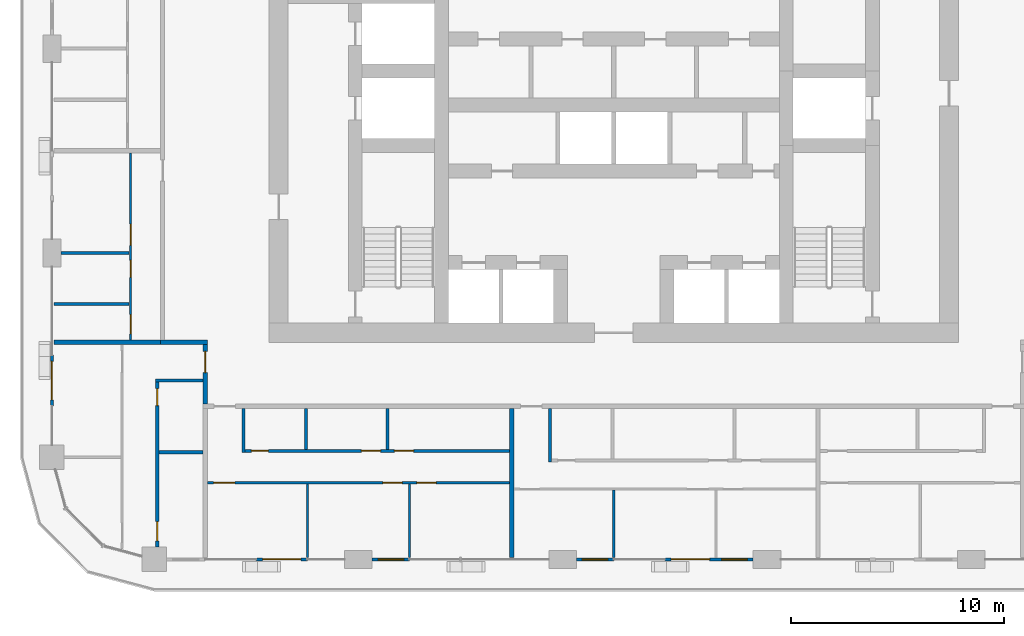
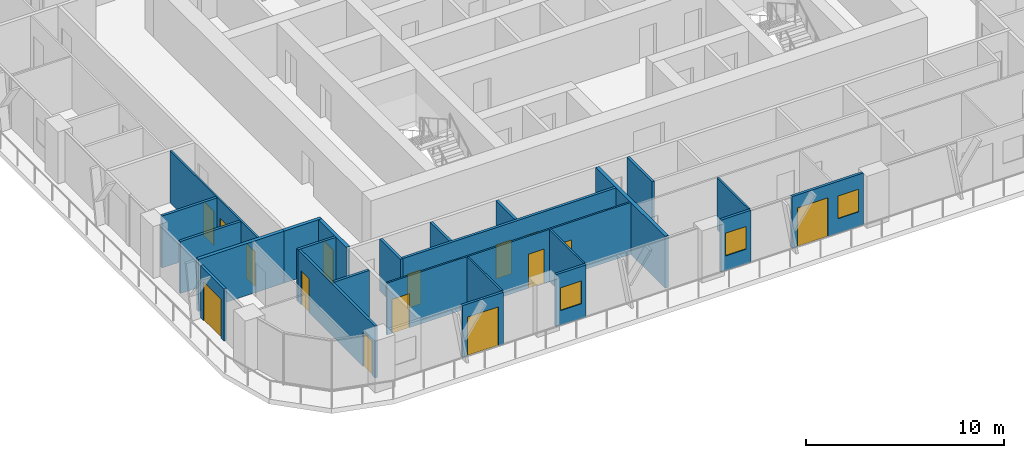
# One storey, part 9 of 22: 24 walls, 15 doors, 3 windows, 18 openings.
"""IFC4 building model written with IfcOpenShell, lengths in metres."""

from ifc_helpers import new_model, si_unit, direction, frame, frame_2d, origin, place, context, subcontext, project, spatial, rectangle, extrude, material, layer, layer_set, type_object, element, fill, save


model = new_model("IFC4")

# Units and contexts
model_context = context("Model", 3, precision=1e-05, world=origin(), true_north=direction((0.0, 1.0)))
body_context = subcontext(model_context, "Body", "Model", "MODEL_VIEW")
ifc_project = project(units=[si_unit("LENGTHUNIT", "METRE"), si_unit("AREAUNIT", "SQUARE_METRE"), si_unit("VOLUMEUNIT", "CUBIC_METRE"), si_unit("PLANEANGLEUNIT", "RADIAN"), si_unit("MASSUNIT", "GRAM", prefix="KILO")], contexts=[model_context])

# Site, building, storey
site_placement = place(None, origin())
site = spatial("IfcSite", under=ifc_project, at=site_placement, CompositionType="ELEMENT")
building_placement = place(site_placement, origin())
building = spatial("IfcBuilding", under=site, at=building_placement, Name="Madar Terraces", CompositionType="ELEMENT")
storey_placement = place(building_placement, frame((0.0, 0.0, 103.199951171875)))
storey = spatial("IfcBuildingStorey", under=building, at=storey_placement, Name="L26", CompositionType="ELEMENT", Elevation=103.199951171875)

# Wall, opening, door
ifc_material_1 = material(Name="Aluminium composite panel, black, over insulated backing", Category="aluminium")
ifc_layer_1 = layer(ifc_material_1, 0.14990234375)
ifc_layer_set_1 = layer_set([ifc_layer_1], Name="Facade bay panel 150")
wall_type_1 = type_object("IfcWallType", Name="Facade bay panel 150", PredefinedType="SOLIDWALL", material=ifc_layer_set_1)
wall_1_placement = place(storey_placement, frame((14.39990234375, 4.800048828125, 0.0), z_axis=(0.0, 0.0, 1.0), x_axis=(1.0, 0.0, 0.0)))
wall_1 = element("IfcWall", 1, at=wall_1_placement, inside=storey, type_object=wall_type_1, Name="Facade bay panel", PredefinedType="SOLIDWALL", context=body_context, shape_type="SweptSolid", body=[
    extrude(rectangle(XDim=2.400146484375, YDim=0.14990234375, at=frame_2d((1.2001953125, 0.0))), origin(), (0.0, 0.0, 1.0), 3.199951171875),
])
opening_1_placement = place(wall_1_placement, frame((0.300048828125, 0.0, 0.0)))
opening_1 = element("IfcOpeningElement", 2, at=opening_1_placement, cuts=wall_1, Name="Opening ED1", PredefinedType="OPENING", context=body_context, shape_type="SweptSolid", body=[
    extrude(rectangle(XDim=1.800048828125, YDim=2.39990234375, at=frame_2d((0.89990234375, 1.199951171875))), frame((0.0, 0.0849609375, 0.0), z_axis=(0.0, -1.0, 0.0), x_axis=(1.0, 0.0, 0.0)), (0.0, 0.0, 1.0), 0.169921875),
])
ifc_material_2 = material(Name="Glass, clear, with black aluminium frame", Category="aluminium")
door_type_1 = type_object("IfcDoorType", Name="Balcony and terrace sliding door 1800 x 2400", OperationType="SLIDING_TO_LEFT", PredefinedType="DOOR", material=ifc_material_2)
door_1_placement = place(opening_1_placement, origin())
door_1 = element("IfcDoor", 3, at=door_1_placement, inside=storey, type_object=door_type_1, Name="Balcony door", OperationType="SLIDING_TO_LEFT", OverallHeight=2.39990234375, OverallWidth=1.800048828125, PredefinedType="DOOR", context=body_context, shape_type="SweptSolid", body=[
    extrude(rectangle(XDim=1.800048828125, YDim=2.39990234375, at=frame_2d((0.89990234375, 1.199951171875))), frame((0.0, 0.02490234375, 0.0), z_axis=(0.0, -1.0, 0.0), x_axis=(1.0, 0.0, 0.0)), (0.0, 0.0, 1.0), 0.050048828125),
])
fill(opening_1, door_1)

# Wall, opening, window
wall_2_placement = place(storey_placement, frame((19.85009765625, 4.800048828125, 0.0), z_axis=(0.0, 0.0, 1.0), x_axis=(1.0, 0.0, 0.0)))
wall_2 = element("IfcWall", 4, at=wall_2_placement, inside=storey, type_object=wall_type_1, Name="Facade bay panel", PredefinedType="SOLIDWALL", context=body_context, shape_type="SweptSolid", body=[
    extrude(rectangle(XDim=1.75, YDim=0.14990234375, at=frame_2d((0.875, 0.0))), origin(), (0.0, 0.0, 1.0), 3.199951171875),
])
opening_2_placement = place(wall_2_placement, frame((0.27490234375, 0.0, 0.89990234375)))
opening_2 = element("IfcOpeningElement", 5, at=opening_2_placement, cuts=wall_2, Name="Opening W1", PredefinedType="OPENING", context=body_context, shape_type="SweptSolid", body=[
    extrude(rectangle(XDim=1.199951171875, YDim=1.39990234375, at=frame_2d((0.60009765625, 0.699951171875))), frame((0.0, 0.0849609375, 0.0), z_axis=(0.0, -1.0, 0.0), x_axis=(1.0, 0.0, 0.0)), (0.0, 0.0, 1.0), 0.169921875),
])
ifc_material_3 = material(Name="Glass, clear, with black aluminium frame", Category="aluminium")
window_type = type_object("IfcWindowType", Name="Vent window 1200 x 1400", PartitioningType="SINGLE_PANEL", PredefinedType="WINDOW", material=ifc_material_3)
window_1_placement = place(opening_2_placement, origin())
window_1 = element("IfcWindow", 6, at=window_1_placement, inside=storey, type_object=window_type, Name="Operable vent window", OverallHeight=1.39990234375, OverallWidth=1.199951171875, PartitioningType="SINGLE_PANEL", PredefinedType="WINDOW", context=body_context, shape_type="SweptSolid", body=[
    extrude(rectangle(XDim=1.199951171875, YDim=1.39990234375, at=frame_2d((0.60009765625, 0.699951171875))), frame((0.0, 0.030029296875, 0.0), z_axis=(0.0, -1.0, 0.0), x_axis=(1.0, 0.0, 0.0)), (0.0, 0.0, 1.0), 0.06005859375),
])
fill(opening_2, window_1)

wall_3_placement = place(storey_placement, frame((29.449951171875, 4.800048828125, 0.0), z_axis=(0.0, 0.0, 1.0), x_axis=(1.0, 0.0, 0.0)))
wall_3 = element("IfcWall", 7, at=wall_3_placement, inside=storey, type_object=wall_type_1, Name="Facade bay panel", PredefinedType="SOLIDWALL", context=body_context, shape_type="SweptSolid", body=[
    extrude(rectangle(XDim=1.75, YDim=0.14990234375, at=frame_2d((0.875, 0.0))), origin(), (0.0, 0.0, 1.0), 3.199951171875),
])
opening_3_placement = place(wall_3_placement, frame((0.27490234375, 0.0, 0.89990234375)))
opening_3 = element("IfcOpeningElement", 8, at=opening_3_placement, cuts=wall_3, Name="Opening W1", PredefinedType="OPENING", context=body_context, shape_type="SweptSolid", body=[
    extrude(rectangle(XDim=1.199951171875, YDim=1.39990234375, at=frame_2d((0.60009765625, 0.699951171875))), frame((0.0, 0.0849609375, 0.0), z_axis=(0.0, -1.0, 0.0), x_axis=(1.0, 0.0, 0.0)), (0.0, 0.0, 1.0), 0.169921875),
])
window_2_placement = place(opening_3_placement, origin())
window_2 = element("IfcWindow", 9, at=window_2_placement, inside=storey, type_object=window_type, Name="Operable vent window", OverallHeight=1.39990234375, OverallWidth=1.199951171875, PartitioningType="SINGLE_PANEL", PredefinedType="WINDOW", context=body_context, shape_type="SweptSolid", body=[
    extrude(rectangle(XDim=1.199951171875, YDim=1.39990234375, at=frame_2d((0.60009765625, 0.699951171875))), frame((0.0, 0.030029296875, 0.0), z_axis=(0.0, -1.0, 0.0), x_axis=(1.0, 0.0, 0.0)), (0.0, 0.0, 1.0), 0.06005859375),
])
fill(opening_3, window_2)

# Wall, openings, door, window
wall_4_placement = place(storey_placement, frame((33.60009765625, 4.800048828125, 0.0), z_axis=(0.0, 0.0, 1.0), x_axis=(1.0, 0.0, 0.0)))
wall_4 = element("IfcWall", 10, at=wall_4_placement, inside=storey, type_object=wall_type_1, Name="Facade bay panel", PredefinedType="SOLIDWALL", context=body_context, shape_type="SweptSolid", body=[
    extrude(rectangle(XDim=4.14990234375, YDim=0.14990234375, at=frame_2d((2.074951171875, 0.0))), origin(), (0.0, 0.0, 1.0), 3.199951171875),
])
opening_4_placement = place(wall_4_placement, frame((0.300048828125, 0.0, 0.0)))
opening_4 = element("IfcOpeningElement", 11, at=opening_4_placement, cuts=wall_4, Name="Opening ED1", PredefinedType="OPENING", context=body_context, shape_type="SweptSolid", body=[
    extrude(rectangle(XDim=1.800048828125, YDim=2.39990234375, at=frame_2d((0.89990234375, 1.199951171875))), frame((0.0, 0.0849609375, 0.0), z_axis=(0.0, -1.0, 0.0), x_axis=(1.0, 0.0, 0.0)), (0.0, 0.0, 1.0), 0.169921875),
])
opening_5_placement = place(wall_4_placement, frame((2.675048828125, 0.0, 0.89990234375)))
opening_5 = element("IfcOpeningElement", 12, at=opening_5_placement, cuts=wall_4, Name="Opening W1", PredefinedType="OPENING", context=body_context, shape_type="SweptSolid", body=[
    extrude(rectangle(XDim=1.199951171875, YDim=1.39990234375, at=frame_2d((0.60009765625, 0.699951171875))), frame((0.0, 0.0849609375, 0.0), z_axis=(0.0, -1.0, 0.0), x_axis=(1.0, 0.0, 0.0)), (0.0, 0.0, 1.0), 0.169921875),
])
door_2_placement = place(opening_4_placement, origin())
door_2 = element("IfcDoor", 13, at=door_2_placement, inside=storey, type_object=door_type_1, Name="Balcony door", OperationType="SLIDING_TO_RIGHT", OverallHeight=2.39990234375, OverallWidth=1.800048828125, PredefinedType="DOOR", context=body_context, shape_type="SweptSolid", body=[
    extrude(rectangle(XDim=1.800048828125, YDim=2.39990234375, at=frame_2d((0.89990234375, 1.199951171875))), frame((0.0, 0.02490234375, 0.0), z_axis=(0.0, -1.0, 0.0), x_axis=(1.0, 0.0, 0.0)), (0.0, 0.0, 1.0), 0.050048828125),
])
fill(opening_4, door_2)
window_3_placement = place(opening_5_placement, origin())
window_3 = element("IfcWindow", 14, at=window_3_placement, inside=storey, type_object=window_type, Name="Operable vent window", OverallHeight=1.39990234375, OverallWidth=1.199951171875, PartitioningType="SINGLE_PANEL", PredefinedType="WINDOW", context=body_context, shape_type="SweptSolid", body=[
    extrude(rectangle(XDim=1.199951171875, YDim=1.39990234375, at=frame_2d((0.60009765625, 0.699951171875))), frame((0.0, 0.030029296875, 0.0), z_axis=(0.0, -1.0, 0.0), x_axis=(1.0, 0.0, 0.0)), (0.0, 0.0, 1.0), 0.06005859375),
])
fill(opening_5, window_3)

# Wall, opening, door
wall_5_placement = place(storey_placement, frame((4.800048828125, 14.39990234375, 0.0), z_axis=(0.0, 0.0, 1.0), x_axis=(0.0, -1.0, 0.0)))
wall_5 = element("IfcWall", 15, at=wall_5_placement, inside=storey, type_object=wall_type_1, Name="Facade bay panel", PredefinedType="SOLIDWALL", context=body_context, shape_type="SweptSolid", body=[
    extrude(rectangle(XDim=2.39990234375, YDim=0.14990234375, at=frame_2d((1.199951171875, 0.0))), origin(), (0.0, 0.0, 1.0), 3.199951171875),
])
opening_6_placement = place(wall_5_placement, frame((0.300048828125, 0.0, 0.0)))
opening_6 = element("IfcOpeningElement", 16, at=opening_6_placement, cuts=wall_5, Name="Opening ED1", PredefinedType="OPENING", context=body_context, shape_type="SweptSolid", body=[
    extrude(rectangle(XDim=1.800048828125, YDim=2.39990234375, at=frame_2d((0.89990234375, 1.199951171875))), frame((0.0, 0.0849609375, 0.0), z_axis=(0.0, -1.0, 0.0), x_axis=(1.0, 0.0, 0.0)), (0.0, 0.0, 1.0), 0.169921875),
])
door_3_placement = place(opening_6_placement, origin())
door_3 = element("IfcDoor", 17, at=door_3_placement, inside=storey, type_object=door_type_1, Name="Balcony door", OperationType="SLIDING_TO_RIGHT", OverallHeight=2.39990234375, OverallWidth=1.800048828125, PredefinedType="DOOR", context=body_context, shape_type="SweptSolid", body=[
    extrude(rectangle(XDim=1.800048828125, YDim=2.39990234375, at=frame_2d((0.89990234375, 1.199951171875))), frame((0.0, 0.02490234375, 0.0), z_axis=(0.0, -1.0, 0.0), x_axis=(1.0, 0.0, 0.0)), (0.0, 0.0, 1.0), 0.050048828125),
])
fill(opening_6, door_3)

# Walls
ifc_material_4 = material(Name="Gypsum board on steel studs", Category="steel")
ifc_layer_2 = layer(ifc_material_4, 0.10009765625)
ifc_layer_set_2 = layer_set([ifc_layer_2], Name="Flat partition 100")
wall_type_2 = type_object("IfcWallType", Name="Flat partition 100", PredefinedType="PARTITIONING", material=ifc_layer_set_2)
for number, where, z_axis, x_axis, name in (
    (18, (16.800048828125, 8.35009765625, 0.0), (0.0, 0.0, 1.0), (0.0, -1.0, 0.0), "Flat partition 100"),
    (19, (21.60009765625, 8.35009765625, 0.0), (0.0, 0.0, 1.0), (0.0, -1.0, 0.0), "Flat partition 100"),
):
    element("IfcWall", number, at=place(storey_placement, frame(where, z_axis=z_axis, x_axis=x_axis)), inside=storey, type_object=wall_type_2, Name=name, PredefinedType="PARTITIONING", context=body_context, shape_type="SweptSolid", body=[
        extrude(rectangle(XDim=3.4501953125, YDim=0.10009765625, at=frame_2d((1.72509765625, 0.0))), origin(), (0.0, 0.0, 1.0), 3.199951171875),
    ])

# Wall, openings, doors
wall_6_placement = place(storey_placement, frame((26.300048828125, 8.39990234375, 0.0), z_axis=(0.0, 0.0, 1.0), x_axis=(-1.0, 0.0, 0.0)))
wall_6 = element("IfcWall", 20, at=wall_6_placement, inside=storey, type_object=wall_type_2, Name="Flat partition 100", PredefinedType="PARTITIONING", context=body_context, shape_type="SweptSolid", body=[
    extrude(rectangle(XDim=14.199951171875, YDim=0.10009765625, at=frame_2d((7.10009765625, 0.0))), origin(), (0.0, 0.0, 1.0), 3.199951171875),
])
opening_7_placement = place(wall_6_placement, frame((12.89990234375, 0.0, 0.0)))
opening_7 = element("IfcOpeningElement", 21, at=opening_7_placement, cuts=wall_6, Name="Opening D3", PredefinedType="OPENING", context=body_context, shape_type="SweptSolid", body=[
    extrude(rectangle(XDim=1.0, YDim=2.10009765625, at=frame_2d((0.5, 1.050048828125))), frame((0.0, 0.06005859375, 0.0), z_axis=(0.0, -1.0, 0.0), x_axis=(1.0, 0.0, 0.0)), (0.0, 0.0, 1.0), 0.1201171875),
])
opening_8_placement = place(wall_6_placement, frame((5.050048828125, 0.0, 0.0)))
opening_8 = element("IfcOpeningElement", 22, at=opening_8_placement, cuts=wall_6, Name="Opening D2", PredefinedType="OPENING", context=body_context, shape_type="SweptSolid", body=[
    extrude(rectangle(XDim=0.89990234375, YDim=2.10009765625, at=frame_2d((0.449951171875, 1.050048828125))), frame((0.0, 0.06005859375, 0.0), z_axis=(0.0, -1.0, 0.0), x_axis=(1.0, 0.0, 0.0)), (0.0, 0.0, 1.0), 0.1201171875),
])
opening_9_placement = place(wall_6_placement, frame((3.449951171875, 0.0, 0.0)))
opening_9 = element("IfcOpeningElement", 23, at=opening_9_placement, cuts=wall_6, Name="Opening D2", PredefinedType="OPENING", context=body_context, shape_type="SweptSolid", body=[
    extrude(rectangle(XDim=0.89990234375, YDim=2.10009765625, at=frame_2d((0.449951171875, 1.050048828125))), frame((0.0, 0.06005859375, 0.0), z_axis=(0.0, -1.0, 0.0), x_axis=(1.0, 0.0, 0.0)), (0.0, 0.0, 1.0), 0.1201171875),
])
ifc_material_5 = material(Name="Timber door leaf", Category="wood")
door_type_2 = type_object("IfcDoorType", Name="Flat living room door 1000", OperationType="NOTDEFINED", PredefinedType="DOOR", material=ifc_material_5)
door_4_placement = place(opening_7_placement, origin())
door_4 = element("IfcDoor", 24, at=door_4_placement, inside=storey, type_object=door_type_2, Name="Flat living room door 1000", OperationType="SINGLE_SWING_RIGHT", OverallHeight=2.10009765625, OverallWidth=1.0, PredefinedType="DOOR", context=body_context, shape_type="SweptSolid", body=[
    extrude(rectangle(XDim=1.0, YDim=2.10009765625, at=frame_2d((0.5, 1.050048828125))), frame((0.0, 0.02490234375, 0.0), z_axis=(0.0, -1.0, 0.0), x_axis=(1.0, 0.0, 0.0)), (0.0, 0.0, 1.0), 0.050048828125),
])
fill(opening_7, door_4)
ifc_material_6 = material(Name="Timber door leaf", Category="wood")
door_type_3 = type_object("IfcDoorType", Name="Flat room door 900", OperationType="NOTDEFINED", PredefinedType="DOOR", material=ifc_material_6)
door_5_placement = place(opening_8_placement, origin())
door_5 = element("IfcDoor", 25, at=door_5_placement, inside=storey, type_object=door_type_3, Name="Flat room door 900", OperationType="SINGLE_SWING_LEFT", OverallHeight=2.10009765625, OverallWidth=0.89990234375, PredefinedType="DOOR", context=body_context, shape_type="SweptSolid", body=[
    extrude(rectangle(XDim=0.89990234375, YDim=2.10009765625, at=frame_2d((0.449951171875, 1.050048828125))), frame((0.0, 0.02490234375, 0.0), z_axis=(0.0, -1.0, 0.0), x_axis=(1.0, 0.0, 0.0)), (0.0, 0.0, 1.0), 0.050048828125),
])
fill(opening_8, door_5)
door_6_placement = place(opening_9_placement, origin())
door_6 = element("IfcDoor", 26, at=door_6_placement, inside=storey, type_object=door_type_3, Name="Flat room door 900", OperationType="SINGLE_SWING_RIGHT", OverallHeight=2.10009765625, OverallWidth=0.89990234375, PredefinedType="DOOR", context=body_context, shape_type="SweptSolid", body=[
    extrude(rectangle(XDim=0.89990234375, YDim=2.10009765625, at=frame_2d((0.449951171875, 1.050048828125))), frame((0.0, 0.02490234375, 0.0), z_axis=(0.0, -1.0, 0.0), x_axis=(1.0, 0.0, 0.0)), (0.0, 0.0, 1.0), 0.050048828125),
])
fill(opening_9, door_6)

# Wall
wall_7_placement = place(storey_placement, frame((31.199951171875, 8.050048828125, 0.0), z_axis=(0.0, 0.0, 1.0), x_axis=(0.0, -1.0, 0.0)))
element("IfcWall", 27, at=wall_7_placement, inside=storey, type_object=wall_type_2, Name="Flat partition 100", PredefinedType="PARTITIONING", context=body_context, shape_type="SweptSolid", body=[
    extrude(rectangle(XDim=3.150146484375, YDim=0.10009765625, at=frame_2d((1.5751953125, 0.0))), origin(), (0.0, 0.0, 1.0), 3.199951171875),
])

# Wall, openings, doors
wall_8_placement = place(storey_placement, frame((8.5, 15.10009765625, 0.0), z_axis=(0.0, 0.0, 1.0), x_axis=(0.0, 1.0, 0.0)))
wall_8 = element("IfcWall", 28, at=wall_8_placement, inside=storey, type_object=wall_type_2, Name="Flat partition 100", PredefinedType="PARTITIONING", context=body_context, shape_type="SweptSolid", body=[
    extrude(rectangle(XDim=8.7998046875, YDim=0.10009765625, at=frame_2d((4.39990234375, 0.0))), origin(), (0.0, 0.0, 1.0), 3.199951171875),
])
opening_10_placement = place(wall_8_placement, frame((4.449951171875, 0.0, 0.0)))
opening_10 = element("IfcOpeningElement", 29, at=opening_10_placement, cuts=wall_8, Name="Opening D3", PredefinedType="OPENING", context=body_context, shape_type="SweptSolid", body=[
    extrude(rectangle(XDim=1.0, YDim=2.10009765625, at=frame_2d((0.5, 1.050048828125))), frame((0.0, 0.06005859375, 0.0), z_axis=(0.0, -1.0, 0.0), x_axis=(1.0, 0.0, 0.0)), (0.0, 0.0, 1.0), 0.1201171875),
])
opening_11_placement = place(wall_8_placement, frame((2.949951171875, 0.0, 0.0)))
opening_11 = element("IfcOpeningElement", 30, at=opening_11_placement, cuts=wall_8, Name="Opening D4", PredefinedType="OPENING", context=body_context, shape_type="SweptSolid", body=[
    extrude(rectangle(XDim=0.800048828125, YDim=2.10009765625, at=frame_2d((0.39990234375, 1.050048828125))), frame((0.0, 0.06005859375, 0.0), z_axis=(0.0, -1.0, 0.0), x_axis=(1.0, 0.0, 0.0)), (0.0, 0.0, 1.0), 0.1201171875),
])
opening_12_placement = place(wall_8_placement, frame((0.300048828125, 0.0, 0.0)))
opening_12 = element("IfcOpeningElement", 31, at=opening_12_placement, cuts=wall_8, Name="Opening D2", PredefinedType="OPENING", context=body_context, shape_type="SweptSolid", body=[
    extrude(rectangle(XDim=0.89990234375, YDim=2.10009765625, at=frame_2d((0.449951171875, 1.050048828125))), frame((0.0, 0.06005859375, 0.0), z_axis=(0.0, -1.0, 0.0), x_axis=(1.0, 0.0, 0.0)), (0.0, 0.0, 1.0), 0.1201171875),
])
ifc_material_7 = material(Name="Timber door leaf", Category="wood")
door_type_4 = type_object("IfcDoorType", Name="Flat bathroom door 800", OperationType="NOTDEFINED", PredefinedType="DOOR", material=ifc_material_7)
door_7_placement = place(opening_11_placement, origin())
door_7 = element("IfcDoor", 32, at=door_7_placement, inside=storey, type_object=door_type_4, Name="Flat bathroom door 800", OperationType="SINGLE_SWING_RIGHT", OverallHeight=2.10009765625, OverallWidth=0.800048828125, PredefinedType="DOOR", context=body_context, shape_type="SweptSolid", body=[
    extrude(rectangle(XDim=0.800048828125, YDim=2.10009765625, at=frame_2d((0.39990234375, 1.050048828125))), frame((0.0, 0.02490234375, 0.0), z_axis=(0.0, -1.0, 0.0), x_axis=(1.0, 0.0, 0.0)), (0.0, 0.0, 1.0), 0.050048828125),
])
fill(opening_11, door_7)
door_8_placement = place(opening_10_placement, origin())
door_8 = element("IfcDoor", 33, at=door_8_placement, inside=storey, type_object=door_type_2, Name="Flat living room door 1000", OperationType="SINGLE_SWING_LEFT", OverallHeight=2.10009765625, OverallWidth=1.0, PredefinedType="DOOR", context=body_context, shape_type="SweptSolid", body=[
    extrude(rectangle(XDim=1.0, YDim=2.10009765625, at=frame_2d((0.5, 1.050048828125))), frame((0.0, 0.02490234375, 0.0), z_axis=(0.0, -1.0, 0.0), x_axis=(1.0, 0.0, 0.0)), (0.0, 0.0, 1.0), 0.050048828125),
])
fill(opening_10, door_8)
door_9_placement = place(opening_12_placement, origin())
door_9 = element("IfcDoor", 34, at=door_9_placement, inside=storey, type_object=door_type_3, Name="Flat room door 900", OperationType="SINGLE_SWING_LEFT", OverallHeight=2.10009765625, OverallWidth=0.89990234375, PredefinedType="DOOR", context=body_context, shape_type="SweptSolid", body=[
    extrude(rectangle(XDim=0.89990234375, YDim=2.10009765625, at=frame_2d((0.449951171875, 1.050048828125))), frame((0.0, 0.02490234375, 0.0), z_axis=(0.0, -1.0, 0.0), x_axis=(1.0, 0.0, 0.0)), (0.0, 0.0, 1.0), 0.050048828125),
])
fill(opening_12, door_9)

# Wall
ifc_material_8 = material(Name="Lightweight blockwork", Category="masonry")
ifc_layer_3 = layer(ifc_material_8, 0.199951171875)
ifc_layer_set_3 = layer_set([ifc_layer_3], Name="Flat party and entrance wall 200")
wall_type_3 = type_object("IfcWallType", Name="Flat party and entrance wall 200", PredefinedType="PARTITIONING", material=ifc_layer_set_3)
wall_9_placement = place(storey_placement, frame((9.89990234375, 15.0, 0.0), z_axis=(0.0, 0.0, 1.0), x_axis=(1.0, 0.0, 0.0)))
element("IfcWall", 35, at=wall_9_placement, inside=storey, type_object=wall_type_3, Name="Flat party and entrance wall 200", PredefinedType="PARTITIONING", context=body_context, shape_type="SweptSolid", body=[
    extrude(rectangle(XDim=2.2001953125, YDim=0.199951171875, at=frame_2d((1.10009765625, 0.0))), origin(), (0.0, 0.0, 1.0), 3.199951171875),
])

# Wall, opening, door
wall_10_placement = place(storey_placement, frame((12.0, 12.10009765625, 0.0), z_axis=(0.0, 0.0, 1.0), x_axis=(0.0, 1.0, 0.0)))
wall_10 = element("IfcWall", 36, at=wall_10_placement, inside=storey, type_object=wall_type_3, Name="Flat party and entrance wall 200", PredefinedType="PARTITIONING", context=body_context, shape_type="SweptSolid", body=[
    extrude(rectangle(XDim=2.7998046875, YDim=0.199951171875, at=frame_2d((1.39990234375, 0.0))), origin(), (0.0, 0.0, 1.0), 3.199951171875),
])
opening_13_placement = place(wall_10_placement, frame((1.47509765625, 0.0, 0.0)))
opening_13 = element("IfcOpeningElement", 37, at=opening_13_placement, cuts=wall_10, Name="Opening D1", PredefinedType="OPENING", context=body_context, shape_type="SweptSolid", body=[
    extrude(rectangle(XDim=1.0, YDim=2.10009765625, at=frame_2d((0.5, 1.050048828125))), frame((0.0, 0.10986328125, 0.0), z_axis=(0.0, -1.0, 0.0), x_axis=(1.0, 0.0, 0.0)), (0.0, 0.0, 1.0), 0.219970703125),
])
ifc_material_9 = material(Name="Timber fire door leaf", Category="wood")
door_type_5 = type_object("IfcDoorType", Name="Flat entrance door 1000 FD30S", OperationType="NOTDEFINED", PredefinedType="DOOR", material=ifc_material_9)
door_10_placement = place(opening_13_placement, origin())
door_10 = element("IfcDoor", 38, at=door_10_placement, inside=storey, type_object=door_type_5, Name="Flat entrance door 1000 FD30S", OperationType="SINGLE_SWING_RIGHT", OverallHeight=2.10009765625, OverallWidth=1.0, PredefinedType="DOOR", context=body_context, shape_type="SweptSolid", body=[
    extrude(rectangle(XDim=1.0, YDim=2.10009765625, at=frame_2d((0.5, 1.050048828125))), frame((0.0, 0.02490234375, 0.0), z_axis=(0.0, -1.0, 0.0), x_axis=(1.0, 0.0, 0.0)), (0.0, 0.0, 1.0), 0.050048828125),
])
fill(opening_13, door_10)

# Walls
wall_11_placement = place(storey_placement, frame((26.39990234375, 11.89990234375, 0.0), z_axis=(0.0, 0.0, 1.0), x_axis=(0.0, -1.0, 0.0)))
element("IfcWall", 39, at=wall_11_placement, inside=storey, type_object=wall_type_3, Name="Flat party and entrance wall 200", PredefinedType="PARTITIONING", context=body_context, shape_type="SweptSolid", body=[
    extrude(rectangle(XDim=7.0, YDim=0.199951171875, at=frame_2d((3.5, 0.0))), origin(), (0.0, 0.0, 1.0), 3.199951171875),
])
wall_12_placement = place(storey_placement, frame((4.89990234375, 15.0, 0.0), z_axis=(0.0, 0.0, 1.0), x_axis=(1.0, 0.0, 0.0)))
element("IfcWall", 40, at=wall_12_placement, inside=storey, type_object=wall_type_3, Name="Flat party and entrance wall 200", PredefinedType="PARTITIONING", context=body_context, shape_type="SweptSolid", body=[
    extrude(rectangle(XDim=5.0, YDim=0.199951171875, at=frame_2d((2.5, 0.0))), origin(), (0.0, 0.0, 1.0), 3.199951171875),
])
ifc_material_10 = material(Name="Lightweight blockwork", Category="masonry")
ifc_layer_4 = layer(ifc_material_10, 0.14990234375)
ifc_layer_set_4 = layer_set([ifc_layer_4], Name="Flat wet-room partition 150")
wall_type_4 = type_object("IfcWallType", Name="Flat wet-room partition 150", PredefinedType="PARTITIONING", material=ifc_layer_set_4)
for number, where, z_axis, x_axis, name in (
    (41, (16.7421875, 11.89990234375, 0.0), (0.0, 0.0, 1.0), (0.0, -1.0, 0.0), "Flat wet-room partition 150"),
    (42, (20.5654296875, 11.89990234375, 0.0), (0.0, 0.0, 1.0), (0.0, -1.0, 0.0), "Flat wet-room partition 150"),
):
    element("IfcWall", number, at=place(storey_placement, frame(where, z_axis=z_axis, x_axis=x_axis)), inside=storey, type_object=wall_type_4, Name=name, PredefinedType="PARTITIONING", context=body_context, shape_type="SweptSolid", body=[
        extrude(rectangle(XDim=1.9248046875, YDim=0.14990234375, at=frame_2d((0.96240234375, 0.0))), origin(), (0.0, 0.0, 1.0), 3.199951171875),
    ])
wall_13_placement = place(storey_placement, frame((13.800048828125, 11.89990234375, 0.0), z_axis=(0.0, 0.0, 1.0), x_axis=(0.0, -1.0, 0.0)))
element("IfcWall", 43, at=wall_13_placement, inside=storey, type_object=wall_type_4, Name="Flat wet-room partition 150", PredefinedType="PARTITIONING", context=body_context, shape_type="SweptSolid", body=[
    extrude(rectangle(XDim=2.074951171875, YDim=0.14990234375, at=frame_2d((1.03759765625, 0.0))), origin(), (0.0, 0.0, 1.0), 3.199951171875),
])

# Wall, openings, doors
wall_14_placement = place(storey_placement, frame((13.875, 9.89990234375, 0.0), z_axis=(0.0, 0.0, 1.0), x_axis=(1.0, 0.0, 0.0)))
wall_14 = element("IfcWall", 44, at=wall_14_placement, inside=storey, type_object=wall_type_4, Name="Flat wet-room partition 150", PredefinedType="PARTITIONING", context=body_context, shape_type="SweptSolid", body=[
    extrude(rectangle(XDim=12.425048828125, YDim=0.14990234375, at=frame_2d((6.21240234375, 0.0))), origin(), (0.0, 0.0, 1.0), 3.199951171875),
])
opening_14_placement = place(wall_14_placement, frame((0.300048828125, 0.0, 0.0)))
opening_14 = element("IfcOpeningElement", 45, at=opening_14_placement, cuts=wall_14, Name="Opening D4", PredefinedType="OPENING", context=body_context, shape_type="SweptSolid", body=[
    extrude(rectangle(XDim=0.800048828125, YDim=2.10009765625, at=frame_2d((0.39990234375, 1.050048828125))), frame((0.0, 0.0849609375, 0.0), z_axis=(0.0, -1.0, 0.0), x_axis=(1.0, 0.0, 0.0)), (0.0, 0.0, 1.0), 0.169921875),
])
opening_15_placement = place(wall_14_placement, frame((5.46533203125, 0.0, 0.0)))
opening_15 = element("IfcOpeningElement", 46, at=opening_15_placement, cuts=wall_14, Name="Opening D5", PredefinedType="OPENING", context=body_context, shape_type="SweptSolid", body=[
    extrude(rectangle(XDim=0.89990234375, YDim=2.10009765625, at=frame_2d((0.449951171875, 1.050048828125))), frame((0.0, 0.0849609375, 0.0), z_axis=(0.0, -1.0, 0.0), x_axis=(1.0, 0.0, 0.0)), (0.0, 0.0, 1.0), 0.169921875),
])
opening_16_placement = place(wall_14_placement, frame((7.015380859375, 0.0, 0.0)))
opening_16 = element("IfcOpeningElement", 47, at=opening_16_placement, cuts=wall_14, Name="Opening D2", PredefinedType="OPENING", context=body_context, shape_type="SweptSolid", body=[
    extrude(rectangle(XDim=0.89990234375, YDim=2.10009765625, at=frame_2d((0.449951171875, 1.050048828125))), frame((0.0, 0.0849609375, 0.0), z_axis=(0.0, -1.0, 0.0), x_axis=(1.0, 0.0, 0.0)), (0.0, 0.0, 1.0), 0.169921875),
])
ifc_material_11 = material(Name="Timber door leaf", Category="wood")
door_type_6 = type_object("IfcDoorType", Name="Flat accessible bathroom door 900", OperationType="NOTDEFINED", PredefinedType="DOOR", material=ifc_material_11)
door_11_placement = place(opening_15_placement, origin())
door_11 = element("IfcDoor", 48, at=door_11_placement, inside=storey, type_object=door_type_6, Name="Flat accessible bathroom door 900", OperationType="SINGLE_SWING_RIGHT", OverallHeight=2.10009765625, OverallWidth=0.89990234375, PredefinedType="DOOR", context=body_context, shape_type="SweptSolid", body=[
    extrude(rectangle(XDim=0.89990234375, YDim=2.10009765625, at=frame_2d((0.449951171875, 1.050048828125))), frame((0.0, 0.02490234375, 0.0), z_axis=(0.0, -1.0, 0.0), x_axis=(1.0, 0.0, 0.0)), (0.0, 0.0, 1.0), 0.050048828125),
])
fill(opening_15, door_11)
door_12_placement = place(opening_14_placement, origin())
door_12 = element("IfcDoor", 49, at=door_12_placement, inside=storey, type_object=door_type_4, Name="Flat bathroom door 800", OperationType="SINGLE_SWING_LEFT", OverallHeight=2.10009765625, OverallWidth=0.800048828125, PredefinedType="DOOR", context=body_context, shape_type="SweptSolid", body=[
    extrude(rectangle(XDim=0.800048828125, YDim=2.10009765625, at=frame_2d((0.39990234375, 1.050048828125))), frame((0.0, 0.02490234375, 0.0), z_axis=(0.0, -1.0, 0.0), x_axis=(1.0, 0.0, 0.0)), (0.0, 0.0, 1.0), 0.050048828125),
])
fill(opening_14, door_12)
door_13_placement = place(opening_16_placement, origin())
door_13 = element("IfcDoor", 50, at=door_13_placement, inside=storey, type_object=door_type_3, Name="Flat room door 900", OperationType="SINGLE_SWING_LEFT", OverallHeight=2.10009765625, OverallWidth=0.89990234375, PredefinedType="DOOR", context=body_context, shape_type="SweptSolid", body=[
    extrude(rectangle(XDim=0.89990234375, YDim=2.10009765625, at=frame_2d((0.449951171875, 1.050048828125))), frame((0.0, 0.02490234375, 0.0), z_axis=(0.0, -1.0, 0.0), x_axis=(1.0, 0.0, 0.0)), (0.0, 0.0, 1.0), 0.050048828125),
])
fill(opening_16, door_13)

# Walls
wall_15_placement = place(storey_placement, frame((28.199951171875, 11.89990234375, 0.0), z_axis=(0.0, 0.0, 1.0), x_axis=(0.0, -1.0, 0.0)))
element("IfcWall", 51, at=wall_15_placement, inside=storey, type_object=wall_type_4, Name="Flat wet-room partition 150", PredefinedType="PARTITIONING", context=body_context, shape_type="SweptSolid", body=[
    extrude(rectangle(XDim=2.52490234375, YDim=0.14990234375, at=frame_2d((1.262451171875, 0.0))), origin(), (0.0, 0.0, 1.0), 3.199951171875),
])
wall_16_placement = place(storey_placement, frame((8.425048828125, 19.199951171875, 0.0), z_axis=(0.0, 0.0, 1.0), x_axis=(-1.0, 0.0, 0.0)))
element("IfcWall", 52, at=wall_16_placement, inside=storey, type_object=wall_type_4, Name="Flat wet-room partition 150", PredefinedType="PARTITIONING", context=body_context, shape_type="SweptSolid", body=[
    extrude(rectangle(XDim=3.199951171875, YDim=0.14990234375, at=frame_2d((1.60009765625, 0.0))), origin(), (0.0, 0.0, 1.0), 3.199951171875),
])
wall_17_placement = place(storey_placement, frame((8.425048828125, 16.800048828125, 0.0), z_axis=(0.0, 0.0, 1.0), x_axis=(-1.0, 0.0, 0.0)))
element("IfcWall", 53, at=wall_17_placement, inside=storey, type_object=wall_type_4, Name="Flat wet-room partition 150", PredefinedType="PARTITIONING", context=body_context, shape_type="SweptSolid", body=[
    extrude(rectangle(XDim=3.525146484375, YDim=0.14990234375, at=frame_2d((1.7626953125, 0.0))), origin(), (0.0, 0.0, 1.0), 3.199951171875),
])
wall_18_placement = place(storey_placement, frame((11.89990234375, 9.8349609375, 0.0), z_axis=(0.0, 0.0, 1.0), x_axis=(-1.0, 0.0, 0.0)))
element("IfcWall", 54, at=wall_18_placement, inside=storey, type_object=wall_type_4, Name="Flat wet-room partition 150", PredefinedType="PARTITIONING", context=body_context, shape_type="SweptSolid", body=[
    extrude(rectangle(XDim=2.074951171875, YDim=0.14990234375, at=frame_2d((1.03759765625, 0.0))), origin(), (0.0, 0.0, 1.0), 3.199951171875),
])
wall_19_placement = place(storey_placement, frame((11.89990234375, 13.199951171875, 0.0), z_axis=(0.0, 0.0, 1.0), x_axis=(-1.0, 0.0, 0.0)))
element("IfcWall", 55, at=wall_19_placement, inside=storey, type_object=wall_type_4, Name="Flat wet-room partition 150", PredefinedType="PARTITIONING", context=body_context, shape_type="SweptSolid", body=[
    extrude(rectangle(XDim=2.224853515625, YDim=0.14990234375, at=frame_2d((1.1123046875, 0.0))), origin(), (0.0, 0.0, 1.0), 3.199951171875),
])

# Wall, openings, doors
wall_20_placement = place(storey_placement, frame((9.75, 13.125, 0.0), z_axis=(0.0, 0.0, 1.0), x_axis=(0.0, -1.0, 0.0)))
wall_20 = element("IfcWall", 56, at=wall_20_placement, inside=storey, type_object=wall_type_4, Name="Flat wet-room partition 150", PredefinedType="PARTITIONING", context=body_context, shape_type="SweptSolid", body=[
    extrude(rectangle(XDim=7.75, YDim=0.14990234375, at=frame_2d((3.875, 0.0))), origin(), (0.0, 0.0, 1.0), 3.199951171875),
])
opening_17_placement = place(wall_20_placement, frame((0.300048828125, 0.0, 0.0)))
opening_17 = element("IfcOpeningElement", 57, at=opening_17_placement, cuts=wall_20, Name="Opening D4", PredefinedType="OPENING", context=body_context, shape_type="SweptSolid", body=[
    extrude(rectangle(XDim=0.800048828125, YDim=2.10009765625, at=frame_2d((0.39990234375, 1.050048828125))), frame((0.0, 0.0849609375, 0.0), z_axis=(0.0, -1.0, 0.0), x_axis=(1.0, 0.0, 0.0)), (0.0, 0.0, 1.0), 0.169921875),
])
opening_18_placement = place(wall_20_placement, frame((6.550048828125, 0.0, 0.0)))
opening_18 = element("IfcOpeningElement", 58, at=opening_18_placement, cuts=wall_20, Name="Opening D2", PredefinedType="OPENING", context=body_context, shape_type="SweptSolid", body=[
    extrude(rectangle(XDim=0.89990234375, YDim=2.10009765625, at=frame_2d((0.449951171875, 1.050048828125))), frame((0.0, 0.0849609375, 0.0), z_axis=(0.0, -1.0, 0.0), x_axis=(1.0, 0.0, 0.0)), (0.0, 0.0, 1.0), 0.169921875),
])
door_14_placement = place(opening_17_placement, origin())
door_14 = element("IfcDoor", 59, at=door_14_placement, inside=storey, type_object=door_type_4, Name="Flat bathroom door 800", OperationType="SINGLE_SWING_LEFT", OverallHeight=2.10009765625, OverallWidth=0.800048828125, PredefinedType="DOOR", context=body_context, shape_type="SweptSolid", body=[
    extrude(rectangle(XDim=0.800048828125, YDim=2.10009765625, at=frame_2d((0.39990234375, 1.050048828125))), frame((0.0, 0.02490234375, 0.0), z_axis=(0.0, -1.0, 0.0), x_axis=(1.0, 0.0, 0.0)), (0.0, 0.0, 1.0), 0.050048828125),
])
fill(opening_17, door_14)
door_15_placement = place(opening_18_placement, origin())
door_15 = element("IfcDoor", 60, at=door_15_placement, inside=storey, type_object=door_type_3, Name="Flat room door 900", OperationType="SINGLE_SWING_RIGHT", OverallHeight=2.10009765625, OverallWidth=0.89990234375, PredefinedType="DOOR", context=body_context, shape_type="SweptSolid", body=[
    extrude(rectangle(XDim=0.89990234375, YDim=2.10009765625, at=frame_2d((0.449951171875, 1.050048828125))), frame((0.0, 0.02490234375, 0.0), z_axis=(0.0, -1.0, 0.0), x_axis=(1.0, 0.0, 0.0)), (0.0, 0.0, 1.0), 0.050048828125),
])
fill(opening_18, door_15)

save(model, "model.ifc")
